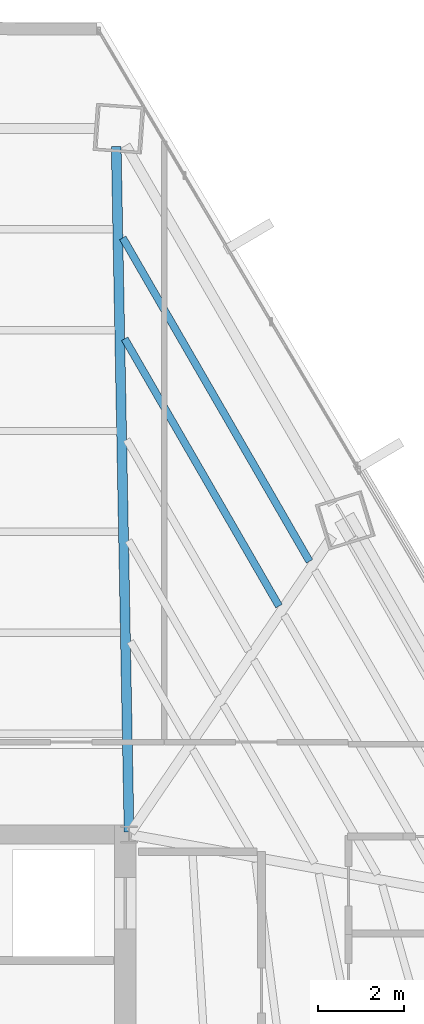
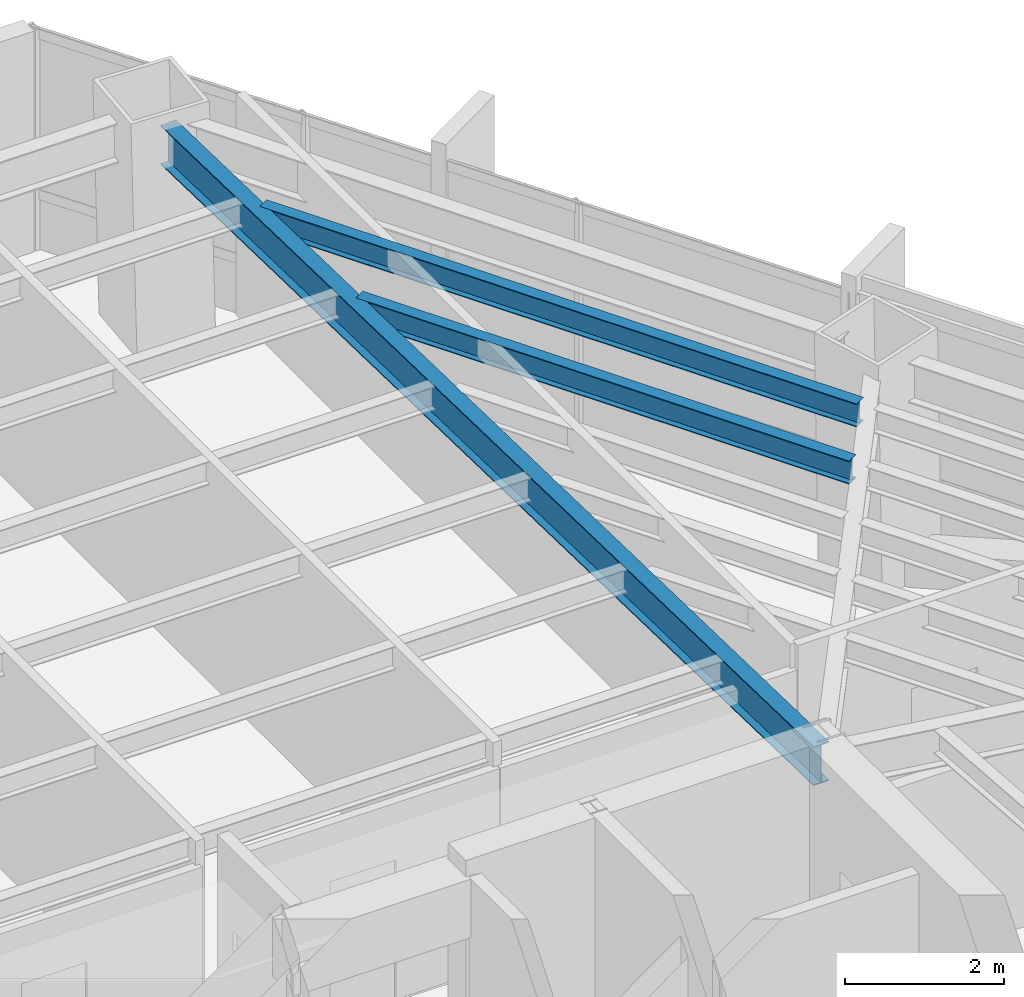
# One storey, part 27 of 36: 3 beams.
"""IFC4 building model written with IfcOpenShell, lengths in metres."""

from ifc_helpers import new_model, si_unit, direction, frame, origin, origin_2d, place, context, subcontext, project, spatial, i_section, extrude, source, transform, mapped, material, material_profile, profile_set, type_object, type_shapes, element, save


model = new_model("IFC4")

# Units and contexts
model_context = context("Model", 3, precision=1e-05, world=origin(), true_north=direction((0.0, 1.0)))
body_context = subcontext(model_context, "Body", "Model", "MODEL_VIEW")
ifc_project = project(units=[si_unit("LENGTHUNIT", "METRE"), si_unit("AREAUNIT", "SQUARE_METRE"), si_unit("VOLUMEUNIT", "CUBIC_METRE"), si_unit("PLANEANGLEUNIT", "RADIAN"), si_unit("MASSUNIT", "GRAM", prefix="KILO")], contexts=[model_context])

# Site, building, storey
site_placement = place(None, origin())
site = spatial("IfcSite", under=ifc_project, at=site_placement, CompositionType="ELEMENT")
building_placement = place(site_placement, origin())
building = spatial("IfcBuilding", under=site, at=building_placement, Name="Caelisora Broadcast Tower", CompositionType="ELEMENT")
storey_placement = place(building_placement, frame((0.0, 0.0, 112.699951171875)))
storey = spatial("IfcBuildingStorey", under=building, at=storey_placement, Name="L29", CompositionType="ELEMENT", Elevation=112.699951171875)

# Beams
ifc_material = material(Name="Steel Grade 350 (AS/NZS 3679.1)", Category="steel")
ifc_material_profile_1 = material_profile(ifc_material, i_section(OverallWidth=0.22802734375, OverallDepth=0.602294921875, WebThickness=0.010498046875, FlangeThickness=0.014892578125, at=origin_2d()), Name="Steel Grade 350 (AS/NZS 3679.1)")
ifc_profile_set_1 = profile_set([ifc_material_profile_1], Name="Steel Grade 350 (AS/NZS 3679.1)")
beam_type_1 = type_object("IfcBeamType", Name="PG04", PredefinedType="BEAM", material=ifc_profile_set_1)
shared_shape_1 = source(origin(), body_context, "Body", "SweptSolid", [
    extrude(i_section(OverallWidth=0.22802734375, OverallDepth=0.602294921875, WebThickness=0.010498046875, FlangeThickness=0.014892578125, at=origin_2d()), origin(), (0.0, 0.0, 1.0), 15.951171875),
])
type_shapes(beam_type_1, [shared_shape_1])
beam_1_placement = place(storey_placement, frame((45.498779296875, 30.06005859375, 3.098876953125), z_axis=(-0.018764682743, 0.99982392784, 0.0), x_axis=(-0.99982392784, -0.018764682743, 0.0)))
element("IfcBeam", 1, at=beam_1_placement, inside=storey, type_object=beam_type_1, Name="L29 beam PG04", PredefinedType="BEAM", context=body_context, shape_type="MappedRepresentation", body=[
    mapped(shared_shape_1, transform((0.0, 0.0, 0.0), scale=1.0)),
])
ifc_material_profile_2 = material_profile(ifc_material, i_section(OverallWidth=0.172119140625, OverallDepth=0.358642578125, WebThickness=0.008056640625, FlangeThickness=0.012939453125, at=origin_2d()), Name="Steel Grade 350 (AS/NZS 3679.1)")
ifc_profile_set_2 = profile_set([ifc_material_profile_2], Name="Steel Grade 350 (AS/NZS 3679.1)")
beam_type_2 = type_object("IfcBeamType", Name="SB02", PredefinedType="JOIST", material=ifc_profile_set_2)
shared_shape_2 = source(origin(), body_context, "Body", "SweptSolid", [
    extrude(i_section(OverallWidth=0.172119140625, OverallDepth=0.358642578125, WebThickness=0.008056640625, FlangeThickness=0.012939453125, at=origin_2d()), origin(), (0.0, 0.0, 1.0), 7.1806640625),
])
beam_2_placement = place(storey_placement, frame((48.986328125, 35.314208984375, 3.220703125), z_axis=(-0.499993215683, 0.866029320676, 0.0), x_axis=(-0.866029320676, -0.499993215683, 0.0)))
element("IfcBeam", 2, at=beam_2_placement, inside=storey, type_object=beam_type_2, Name="L29 beam SB02", PredefinedType="JOIST", context=body_context, shape_type="MappedRepresentation", body=[
    mapped(shared_shape_2, transform((0.0, 0.0, 0.0), scale=1.0)),
])
shared_shape_3 = source(origin(), body_context, "Body", "SweptSolid", [
    extrude(i_section(OverallWidth=0.172119140625, OverallDepth=0.358642578125, WebThickness=0.008056640625, FlangeThickness=0.012939453125, at=origin_2d()), origin(), (0.0, 0.0, 1.0), 8.688232421875),
])
type_shapes(beam_type_2, [shared_shape_2, shared_shape_3])
beam_3_placement = place(storey_placement, frame((49.696044921875, 36.355712890625, 3.220703125), z_axis=(-0.500013531281, 0.866017591355, 0.0), x_axis=(-0.866017591355, -0.500013531281, 0.0)))
element("IfcBeam", 3, at=beam_3_placement, inside=storey, type_object=beam_type_2, Name="L29 beam SB02", PredefinedType="JOIST", context=body_context, shape_type="MappedRepresentation", body=[
    mapped(shared_shape_3, transform((0.0, 0.0, 0.0), scale=1.0)),
])

save(model, "model.ifc")
